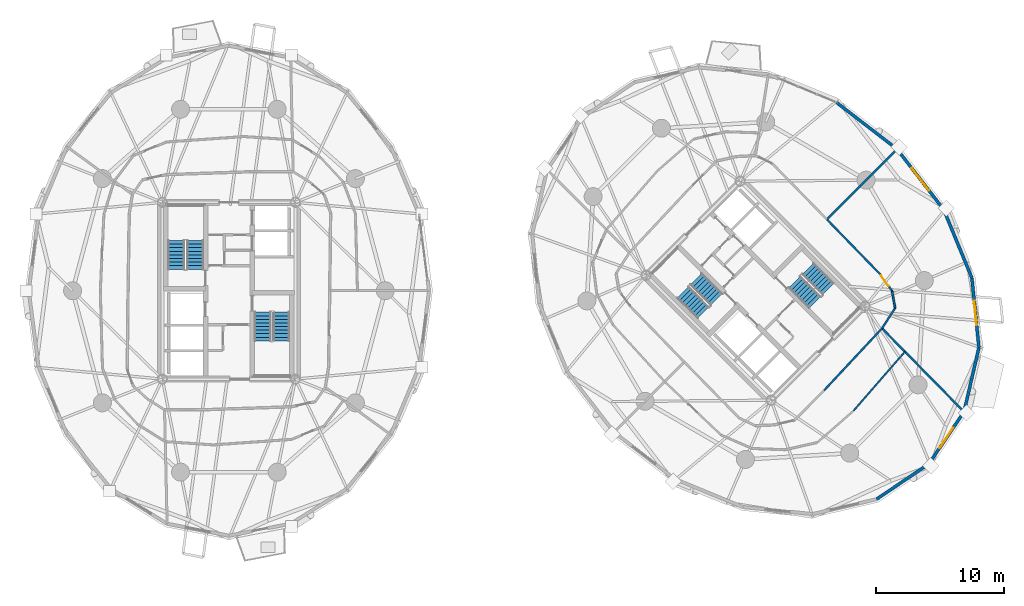
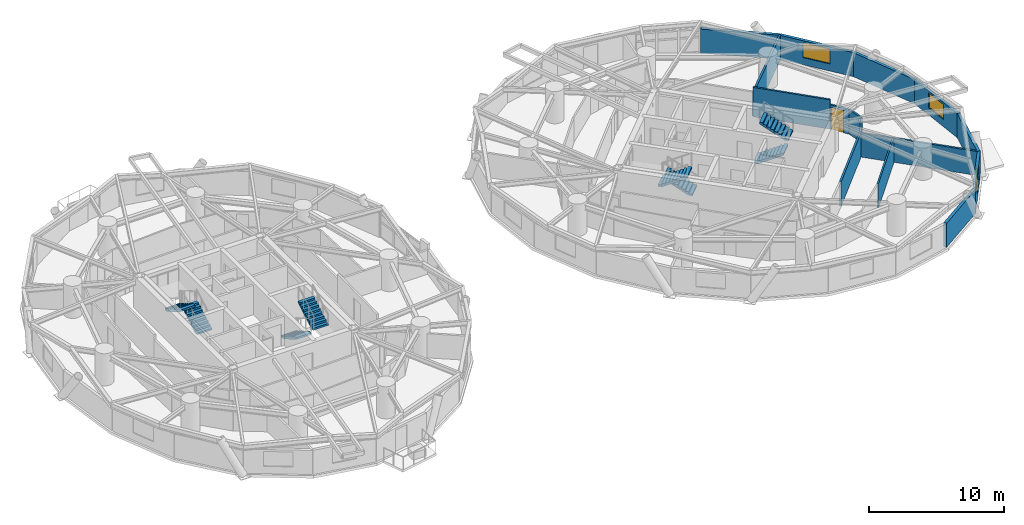
# One storey, part 15 of 18: 15 walls, 8 stair flights, 3 windows, 1 door, 4 openings, 4 elements without a shape of their own.
"""IFC4 building model written with IfcOpenShell, lengths in metres."""

from ifc_helpers import new_model, si_unit, direction, frame, frame_2d, origin, place, context, subcontext, project, spatial, polyline, rectangle, outline, extrude, source, transform, mapped, material, layer, layer_set, type_object, element, fill, aggregate, save


model = new_model("IFC4")

# Units and contexts
model_context = context("Model", 3, precision=1e-05, world=origin(), true_north=direction((0.0, 1.0)))
body_context = subcontext(model_context, "Body", "Model", "MODEL_VIEW")
ifc_project = project(units=[si_unit("LENGTHUNIT", "METRE"), si_unit("AREAUNIT", "SQUARE_METRE"), si_unit("VOLUMEUNIT", "CUBIC_METRE"), si_unit("PLANEANGLEUNIT", "RADIAN"), si_unit("MASSUNIT", "GRAM", prefix="KILO")], contexts=[model_context])

# Site, building, storey
site_placement = place(None, origin())
site = spatial("IfcSite", under=ifc_project, at=site_placement, CompositionType="ELEMENT")
building_placement = place(site_placement, origin())
building = spatial("IfcBuilding", under=site, at=building_placement, Name="Cununo Teusaquillo Station Towers", CompositionType="ELEMENT")
storey_placement = place(building_placement, frame((0.0, 0.0, 93.429931640625)))
storey = spatial("IfcBuildingStorey", under=building, at=storey_placement, Name="L29", CompositionType="ELEMENT", Elevation=93.429931640625)

# Walls
ifc_material_1 = material(Name="Precast concrete C40/50", Category="concrete")
ifc_layer_1 = layer(ifc_material_1, 0.239990234375)
ifc_layer_set_1 = layer_set([ifc_layer_1], Name="Precast concrete C40/50")
wall_type_1 = type_object("IfcWallType", Name="WL-EXT-240", PredefinedType="SOLIDWALL", material=ifc_layer_set_1)
wall_1_placement = place(storey_placement, frame((63.811279296875, 39.145263671875, 0.0), z_axis=(0.0, 0.0, 1.0), x_axis=(0.791982052206, -0.61054437102, 0.0)))
element("IfcWall", 1, at=wall_1_placement, inside=storey, type_object=wall_type_1, Name="L29 Tower B Exterior Facade Wall C00", PredefinedType="SOLIDWALL", context=body_context, shape_type="SweptSolid", body=[
    extrude(rectangle(XDim=5.942138671875, YDim=0.239990234375, at=frame_2d((2.97119140625, 0.0))), origin(), (0.0, 0.0, 1.0), 2.178955078125),
])
wall_2_placement = place(storey_placement, frame((70.984619140625, 11.015380859375, 0.0), z_axis=(0.0, 0.0, 1.0), x_axis=(-0.828781148131, -0.559572880421, 0.0)))
element("IfcWall", 2, at=wall_2_placement, inside=storey, type_object=wall_type_1, Name="L29 Tower B Exterior Facade Wall C14", PredefinedType="SOLIDWALL", context=body_context, shape_type="SweptSolid", body=[
    extrude(rectangle(XDim=4.904541015625, YDim=0.239990234375, at=frame_2d((2.4521484375, 0.0))), origin(), (0.0, 0.0, 1.0), 2.178955078125),
])

# Wall, opening, window
wall_3_placement = place(storey_placement, frame((73.72900390625, 15.080078125, 0.0), z_axis=(0.0, 0.0, 1.0), x_axis=(-0.559572880421, -0.828781148131, 0.0)))
wall_3 = element("IfcWall", 3, at=wall_3_placement, inside=storey, type_object=wall_type_1, Name="L29 Tower B Exterior Facade Wall C15", PredefinedType="SOLIDWALL", context=body_context, shape_type="SweptSolid", body=[
    extrude(rectangle(XDim=4.904541015625, YDim=0.239990234375, at=frame_2d((2.4521484375, 0.0))), origin(), (0.0, 0.0, 1.0), 2.178955078125),
])
shared_shape_1 = source(origin(), body_context, "Body", "SweptSolid", [
    extrude(rectangle(XDim=1.89990234375, YDim=1.35009765625, at=frame_2d((0.949951171875, 0.675048828125))), frame((0.0, 0.1298828125, 0.0), z_axis=(0.0, -1.0, 0.0), x_axis=(1.0, 0.0, 0.0)), (0.0, 0.0, 1.0), 0.260009765625),
])
opening_1_placement = place(wall_3_placement, frame((1.501953125, 0.0, 0.64990234375)))
opening_1 = element("IfcOpeningElement", 4, at=opening_1_placement, cuts=wall_3, Name="Opening WN-02", PredefinedType="OPENING", context=body_context, shape_type="MappedRepresentation", body=[
    mapped(shared_shape_1, transform((0.0, 0.0, 0.0), x_axis=(1.0, 0.0, 0.0), y_axis=(0.0, 1.0, 0.0), z_axis=(0.0, 0.0, 1.0), scale=1.0)),
])
ifc_material_2 = material(Name="Operable acoustic tinted low-E double glazing", Category="glass")
window_type_1 = type_object("IfcWindowType", Name="WIN-OPER-1900", PartitioningType="DOUBLE_PANEL_VERTICAL", PredefinedType="WINDOW", material=ifc_material_2)
shared_shape_2 = source(origin(), body_context, "Body", "SweptSolid", [
    extrude(rectangle(XDim=1.89990234375, YDim=1.35009765625, at=frame_2d((0.949951171875, 0.675048828125))), frame((0.0, 0.030029296875, 0.0), z_axis=(0.0, -1.0, 0.0), x_axis=(1.0, 0.0, 0.0)), (0.0, 0.0, 1.0), 0.06005859375),
])
window_1_placement = place(opening_1_placement, origin())
window_1 = element("IfcWindow", 5, at=window_1_placement, inside=storey, type_object=window_type_1, Name="L29 Tower B Facade Window C15", OverallHeight=1.35009765625, OverallWidth=1.89990234375, PartitioningType="DOUBLE_PANEL_VERTICAL", PredefinedType="WINDOW", context=body_context, shape_type="MappedRepresentation", body=[
    mapped(shared_shape_2, transform((0.0, 0.0, 0.0), x_axis=(1.0, 0.0, 0.0), y_axis=(0.0, 1.0, 0.0), z_axis=(0.0, 0.0, 1.0), scale=1.0)),
])
fill(opening_1, window_1)

# Wall
wall_4_placement = place(storey_placement, frame((74.885009765625, 20.066650390625, 0.0), z_axis=(0.0, 0.0, 1.0), x_axis=(-0.225834725257, -0.974165631126, 0.0)))
element("IfcWall", 6, at=wall_4_placement, inside=storey, type_object=wall_type_1, Name="L29 Tower B Exterior Facade Wall C16", PredefinedType="SOLIDWALL", context=body_context, shape_type="SweptSolid", body=[
    extrude(rectangle(XDim=5.118896484375, YDim=0.239990234375, at=frame_2d((2.5595703125, 0.0))), origin(), (0.0, 0.0, 1.0), 2.178955078125),
])

# Wall, opening, window
wall_5_placement = place(storey_placement, frame((74.33935546875, 25.4873046875, 0.0), z_axis=(0.0, 0.0, 1.0), x_axis=(0.10015591906, -0.994971754311, 0.0)))
wall_5 = element("IfcWall", 7, at=wall_5_placement, inside=storey, type_object=wall_type_1, Name="L29 Tower B Exterior Facade Wall C17", PredefinedType="SOLIDWALL", context=body_context, shape_type="SweptSolid", body=[
    extrude(rectangle(XDim=5.447998046875, YDim=0.239990234375, at=frame_2d((2.72412109375, 0.0))), origin(), (0.0, 0.0, 1.0), 2.178955078125),
])
opening_2_placement = place(wall_5_placement, frame((1.77392578125, 0.0, 0.64990234375)))
opening_2 = element("IfcOpeningElement", 8, at=opening_2_placement, cuts=wall_5, Name="Opening WN-02", PredefinedType="OPENING", context=body_context, shape_type="MappedRepresentation", body=[
    mapped(shared_shape_1, transform((0.0, 0.0, 0.0), x_axis=(1.0, 0.0, 0.0), y_axis=(0.0, 1.0, 0.0), z_axis=(0.0, 0.0, 1.0), scale=1.0)),
])
window_2_placement = place(opening_2_placement, origin())
window_2 = element("IfcWindow", 9, at=window_2_placement, inside=storey, type_object=window_type_1, Name="L29 Tower B Facade Window C17", OverallHeight=1.35009765625, OverallWidth=1.89990234375, PartitioningType="DOUBLE_PANEL_VERTICAL", PredefinedType="WINDOW", context=body_context, shape_type="MappedRepresentation", body=[
    mapped(shared_shape_2, transform((0.0, 0.0, 0.0), x_axis=(1.0, 0.0, 0.0), y_axis=(0.0, 1.0, 0.0), z_axis=(0.0, 0.0, 1.0), scale=1.0)),
])
fill(opening_2, window_2)

# Wall
wall_6_placement = place(storey_placement, frame((72.145263671875, 30.811279296875, 0.0), z_axis=(0.0, 0.0, 1.0), x_axis=(0.381027003055, -0.924563909604, 0.0)))
element("IfcWall", 10, at=wall_6_placement, inside=storey, type_object=wall_type_1, Name="L29 Tower B Exterior Facade Wall C18", PredefinedType="SOLIDWALL", context=body_context, shape_type="SweptSolid", body=[
    extrude(rectangle(XDim=5.75830078125, YDim=0.239990234375, at=frame_2d((2.879150390625, 0.0))), origin(), (0.0, 0.0, 1.0), 2.178955078125),
])

# Wall, opening, window
wall_7_placement = place(storey_placement, frame((68.517333984375, 35.517333984375, 0.0), z_axis=(0.0, 0.0, 1.0), x_axis=(0.61054437102, -0.791982052206, 0.0)))
wall_7 = element("IfcWall", 11, at=wall_7_placement, inside=storey, type_object=wall_type_1, Name="L29 Tower B Exterior Facade Wall C19", PredefinedType="SOLIDWALL", context=body_context, shape_type="SweptSolid", body=[
    extrude(rectangle(XDim=5.942138671875, YDim=0.239990234375, at=frame_2d((2.97119140625, 0.0))), origin(), (0.0, 0.0, 1.0), 2.178955078125),
])
shared_shape_3 = source(origin(), body_context, "Body", "SweptSolid", [
    extrude(rectangle(XDim=2.199951171875, YDim=1.35009765625, at=frame_2d((1.10009765625, 0.675048828125))), frame((0.0, 0.1298828125, 0.0), z_axis=(0.0, -1.0, 0.0), x_axis=(1.0, 0.0, 0.0)), (0.0, 0.0, 1.0), 0.260009765625),
])
opening_3_placement = place(wall_7_placement, frame((1.87109375, 0.0, 0.64990234375)))
opening_3 = element("IfcOpeningElement", 12, at=opening_3_placement, cuts=wall_7, Name="Opening WN-01", PredefinedType="OPENING", context=body_context, shape_type="MappedRepresentation", body=[
    mapped(shared_shape_3, transform((0.0, 0.0, 0.0), x_axis=(1.0, 0.0, 0.0), y_axis=(0.0, 1.0, 0.0), z_axis=(0.0, 0.0, 1.0), scale=1.0)),
])
ifc_material_3 = material(Name="Ceramic-fritted dark low-E double glazing", Category="glass")
window_type_2 = type_object("IfcWindowType", Name="WIN-FRIT-2200", PartitioningType="DOUBLE_PANEL_VERTICAL", PredefinedType="WINDOW", material=ifc_material_3)
shared_shape_4 = source(origin(), body_context, "Body", "SweptSolid", [
    extrude(rectangle(XDim=2.199951171875, YDim=1.35009765625, at=frame_2d((1.10009765625, 0.675048828125))), frame((0.0, 0.030029296875, 0.0), z_axis=(0.0, -1.0, 0.0), x_axis=(1.0, 0.0, 0.0)), (0.0, 0.0, 1.0), 0.06005859375),
])
window_3_placement = place(opening_3_placement, origin())
window_3 = element("IfcWindow", 13, at=window_3_placement, inside=storey, type_object=window_type_2, Name="L29 Tower B Facade Window C19", OverallHeight=1.35009765625, OverallWidth=2.199951171875, PartitioningType="DOUBLE_PANEL_VERTICAL", PredefinedType="WINDOW", context=body_context, shape_type="MappedRepresentation", body=[
    mapped(shared_shape_4, transform((0.0, 0.0, 0.0), x_axis=(1.0, 0.0, 0.0), y_axis=(0.0, 1.0, 0.0), z_axis=(0.0, 0.0, 1.0), scale=1.0)),
])
fill(opening_3, window_3)

# Walls
ifc_material_4 = material(Name="Fire-rated gypsum plasterboard partition assembly", Category="gypsum")
ifc_layer_2 = layer(ifc_material_4, 0.125)
ifc_layer_set_2 = layer_set([ifc_layer_2], Name="Fire-rated gypsum plasterboard partition assembly")
wall_type_2 = type_object("IfcWallType", Name="WL-PART-125", PredefinedType="PARTITIONING", material=ifc_layer_set_2)
wall_8_placement = place(storey_placement, frame((65.1162109375, 15.14453125, 0.0), z_axis=(0.0, 0.0, 1.0), x_axis=(0.656272685344, 0.75452379848, 0.0)))
element("IfcWall", 14, at=wall_8_placement, inside=storey, type_object=wall_type_2, Name="L29 Tower B Staff Espresso & Pantry Lounge Concentric Partition Wall C15", PredefinedType="PARTITIONING", context=body_context, shape_type="SweptSolid", body=[
    extrude(rectangle(XDim=6.1103515625, YDim=0.125, at=frame_2d((3.05517578125, 0.0))), origin(), (0.0, 0.0, 1.0), 2.22509765625),
])
ifc_material_5 = material(Name="Fire-rated gypsum plasterboard partition assembly", Category="gypsum")
ifc_layer_3 = layer(ifc_material_5, 0.14990234375)
ifc_layer_set_3 = layer_set([ifc_layer_3], Name="Fire-rated gypsum plasterboard partition assembly")
wall_type_3 = type_object("IfcWallType", Name="WL-PART-150", PredefinedType="PARTITIONING", material=ifc_layer_set_3)
wall_9_placement = place(storey_placement, frame((62.83935546875, 16.74462890625, 0.0), z_axis=(0.0, 0.0, 1.0), x_axis=(0.682386779427, 0.73099130177, 0.0)))
element("IfcWall", 15, at=wall_9_placement, inside=storey, type_object=wall_type_3, Name="L29 Tower B Corridor Ring Wall C15", PredefinedType="PARTITIONING", context=body_context, shape_type="SweptSolid", body=[
    extrude(rectangle(XDim=6.600341796875, YDim=0.14990234375, at=frame_2d((3.30029296875, 0.0))), origin(), (0.0, 0.0, 1.0), 2.22509765625),
])
wall_10_placement = place(storey_placement, frame((67.34326171875, 21.5693359375, 0.0), z_axis=(0.0, 0.0, 1.0), x_axis=(0.542722446786, 0.83991210597, 0.0)))
element("IfcWall", 16, at=wall_10_placement, inside=storey, type_object=wall_type_3, Name="L29 Tower B Corridor Ring Wall C16", PredefinedType="PARTITIONING", context=body_context, shape_type="SweptSolid", body=[
    extrude(rectangle(XDim=1.876220703125, YDim=0.14990234375, at=frame_2d((0.93798828125, 0.0))), origin(), (0.0, 0.0, 1.0), 2.22509765625),
])
wall_11_placement = place(storey_placement, frame((68.361572265625, 23.145263671875, 0.0), z_axis=(0.0, 0.0, 1.0), x_axis=(-0.175605524171, 0.984460613677, 0.0)))
element("IfcWall", 17, at=wall_11_placement, inside=storey, type_object=wall_type_3, Name="L29 Tower B Corridor Ring Wall C17", PredefinedType="PARTITIONING", context=body_context, shape_type="SweptSolid", body=[
    extrude(rectangle(XDim=1.369384765625, YDim=0.14990234375, at=frame_2d((0.6845703125, 0.0))), origin(), (0.0, 0.0, 1.0), 2.22509765625),
])

# Wall, opening, door
wall_12_placement = place(storey_placement, frame((68.12109375, 24.493408203125, 0.0), z_axis=(0.0, 0.0, 1.0), x_axis=(-0.583188677624, 0.812336732083, 0.0)))
wall_12 = element("IfcWall", 18, at=wall_12_placement, inside=storey, type_object=wall_type_3, Name="L29 Tower B Corridor Ring Wall C18", PredefinedType="PARTITIONING", context=body_context, shape_type="SweptSolid", body=[
    extrude(rectangle(XDim=1.59716796875, YDim=0.14990234375, at=frame_2d((0.798583984375, 0.0))), origin(), (0.0, 0.0, 1.0), 2.22509765625),
])
shared_shape_5 = source(origin(), body_context, "Body", "SweptSolid", [
    extrude(rectangle(XDim=1.0, YDim=2.014892578125, at=frame_2d((0.5, 1.00732421875))), frame((0.0, 0.0849609375, 0.0), z_axis=(0.0, -1.0, 0.0), x_axis=(1.0, 0.0, 0.0)), (0.0, 0.0, 1.0), 0.169921875),
])
opening_4_placement = place(wall_12_placement, frame((0.47705078125, 0.0, 0.0)))
opening_4 = element("IfcOpeningElement", 19, at=opening_4_placement, cuts=wall_12, Name="Opening D-AC1", PredefinedType="OPENING", context=body_context, shape_type="MappedRepresentation", body=[
    mapped(shared_shape_5, transform((0.0, 0.0, 0.0), x_axis=(1.0, 0.0, 0.0), y_axis=(0.0, 1.0, 0.0), z_axis=(0.0, 0.0, 1.0), scale=1.0)),
])
ifc_material_6 = material(Name="Acoustic solid-core hardwood leaf assembly", Category="wood")
door_type = type_object("IfcDoorType", Name="DR-ACC-1000", OperationType="NOTDEFINED", PredefinedType="DOOR", material=ifc_material_6)
shared_shape_6 = source(origin(), body_context, "Body", "SweptSolid", [
    extrude(rectangle(XDim=1.0, YDim=2.014892578125, at=frame_2d((0.5, 1.00732421875))), frame((0.0, 0.02490234375, 0.0), z_axis=(0.0, -1.0, 0.0), x_axis=(1.0, 0.0, 0.0)), (0.0, 0.0, 1.0), 0.050048828125),
])
door_placement = place(opening_4_placement, origin())
door = element("IfcDoor", 20, at=door_placement, inside=storey, type_object=door_type, Name="L29 Tower B Public Accessible Restroom WC Entrance Door", OperationType="SINGLE_SWING_RIGHT", OverallHeight=2.014892578125, OverallWidth=1.0, PredefinedType="DOOR", context=body_context, shape_type="MappedRepresentation", body=[
    mapped(shared_shape_6, transform((0.0, 0.0, 0.0), x_axis=(1.0, 0.0, 0.0), y_axis=(0.0, 1.0, 0.0), z_axis=(0.0, 0.0, 1.0), scale=1.0)),
])
fill(opening_4, door)

# Walls
wall_13_placement = place(storey_placement, frame((67.189697265625, 25.790771484375, 0.0), z_axis=(0.0, 0.0, 1.0), x_axis=(-0.696839457851, 0.717227139742, 0.0)))
element("IfcWall", 21, at=wall_13_placement, inside=storey, type_object=wall_type_3, Name="L29 Tower B Corridor Ring Wall C19", PredefinedType="PARTITIONING", context=body_context, shape_type="SweptSolid", body=[
    extrude(rectangle(XDim=5.939453125, YDim=0.14990234375, at=frame_2d((2.9697265625, 0.0))), origin(), (0.0, 0.0, 1.0), 2.655029296875),
])
ifc_material_7 = material(Name="Fire-rated gypsum plasterboard partition assembly", Category="gypsum")
ifc_layer_4 = layer(ifc_material_7, 0.159912109375)
ifc_layer_set_4 = layer_set([ifc_layer_4], Name="Fire-rated gypsum plasterboard partition assembly")
wall_type_4 = type_object("IfcWallType", Name="WL-PART-160", PredefinedType="PARTITIONING", material=ifc_layer_set_4)
wall_14_placement = place(storey_placement, frame((63.05078125, 30.05078125, 0.0), z_axis=(0.0, 0.0, 1.0), x_axis=(0.707106781187, 0.707106781187, 0.0)))
element("IfcWall", 22, at=wall_14_placement, inside=storey, type_object=wall_type_4, Name="L29 Tower B Radial Suite Partition R01", PredefinedType="PARTITIONING", context=body_context, shape_type="SweptSolid", body=[
    extrude(rectangle(XDim=7.711181640625, YDim=0.159912109375, at=frame_2d((3.85546875, 0.0))), origin(), (0.0, 0.0, 1.0), 2.178955078125),
])
wall_15_placement = place(storey_placement, frame((67.34326171875, 21.5693359375, 0.0), z_axis=(0.0, 0.0, 1.0), x_axis=(0.700899237588, -0.713260302238, 0.0)))
element("IfcWall", 23, at=wall_15_placement, inside=storey, type_object=wall_type_4, Name="L29 Tower B Radial Suite Partition R05", PredefinedType="PARTITIONING", context=body_context, shape_type="SweptSolid", body=[
    extrude(rectangle(XDim=9.08544921875, YDim=0.159912109375, at=frame_2d((4.542724609375, 0.0))), origin(), (0.0, 0.0, 1.0), 2.178955078125),
])

# Stair, stair flights
ifc_material_8 = material(Name="Concrete C50/60", Category="concrete")
stair_type = type_object("IfcStairType", Name="ST-TWR-1300", PredefinedType="HALF_TURN_STAIR", material=ifc_material_8)
stair_1_placement = place(storey_placement, origin())
stair_1 = element("IfcStair", 24, at=stair_1_placement, inside=storey, type_object=stair_type, Name="L29 Tower A Protected Core Exit Stair 1", PredefinedType="HALF_TURN_STAIR")
ifc_material_9 = material(Name="Concrete C50/60", Category="concrete")
stair_flight_type = type_object("IfcStairFlightType", Name="SFL-TWR-1300", PredefinedType="STRAIGHT", material=ifc_material_9)
stair_flight_1_placement = place(storey_placement, frame((13.8701171875, 26.169921875, 0.0), z_axis=(0.0, 0.0, 1.0), x_axis=(0.0, 1.0, 0.0)))
stair_flight_1 = element("IfcStairFlight", 25, at=stair_flight_1_placement, type_object=stair_flight_type, Name="ST-T1-1 flight 1", NumberOfRisers=9, NumberOfTreads=8, PredefinedType="STRAIGHT", RiserHeight=0.161666667, TreadLength=0.28, context=body_context, shape_type="SweptSolid", body=[
    extrude(outline(polyline([(0.0, 0.0), (0.0, 0.16162109375), (0.280029296875, 0.16162109375), (0.280029296875, 0.3232421875), (0.56005859375, 0.3232421875), (0.56005859375, 0.485107421875), (0.840087890625, 0.485107421875), (0.840087890625, 0.646728515625), (1.1201171875, 0.646728515625), (1.1201171875, 0.808349609375), (1.39990234375, 0.808349609375), (1.39990234375, 0.969970703125), (1.679931640625, 0.969970703125), (1.679931640625, 1.131591796875), (1.9599609375, 1.131591796875), (1.9599609375, 1.293212890625), (2.239990234375, 1.293212890625), (2.239990234375, 1.455078125), (2.239990234375, 1.1201171875), (0.2998046875, 0.0), (0.0, 0.0)])), frame((0.0, 0.64990234375, 0.0), z_axis=(0.0, -1.0, 0.0), x_axis=(1.0, 0.0, 0.0)), (0.0, 0.0, 1.0), 1.300048828125),
])
stair_flight_2_placement = place(storey_placement, frame((12.409912109375, 28.409912109375, 1.455078125), z_axis=(0.0, 0.0, 1.0), x_axis=(0.0, -1.0, 0.0)))
stair_flight_2 = element("IfcStairFlight", 26, at=stair_flight_2_placement, type_object=stair_flight_type, Name="ST-T1-1 flight 2", NumberOfRisers=9, NumberOfTreads=8, PredefinedType="STRAIGHT", RiserHeight=0.161666667, TreadLength=0.28, context=body_context, shape_type="SweptSolid", body=[
    extrude(outline(polyline([(0.0, 0.0), (0.0, 0.16162109375), (0.280029296875, 0.16162109375), (0.280029296875, 0.3232421875), (0.56005859375, 0.3232421875), (0.56005859375, 0.485107421875), (0.840087890625, 0.485107421875), (0.840087890625, 0.646728515625), (1.1201171875, 0.646728515625), (1.1201171875, 0.808349609375), (1.39990234375, 0.808349609375), (1.39990234375, 0.969970703125), (1.679931640625, 0.969970703125), (1.679931640625, 1.131591796875), (1.9599609375, 1.131591796875), (1.9599609375, 1.293212890625), (2.239990234375, 1.293212890625), (2.239990234375, 1.455078125), (2.239990234375, 1.1201171875), (0.2998046875, 0.0), (0.0, 0.0)])), frame((0.0, 0.64990234375, 0.0), z_axis=(0.0, -1.0, 0.0), x_axis=(1.0, 0.0, 0.0)), (0.0, 0.0, 1.0), 1.300048828125),
])
aggregate(stair_1, [stair_flight_1, stair_flight_2])

stair_2_placement = place(storey_placement, origin())
stair_2 = element("IfcStair", 27, at=stair_2_placement, inside=storey, type_object=stair_type, Name="L29 Tower A Protected Core Exit Stair 2", PredefinedType="HALF_TURN_STAIR")
stair_flight_3_placement = place(storey_placement, frame((19.1298828125, 22.830078125, 0.0), z_axis=(0.0, 0.0, 1.0), x_axis=(0.0, -1.0, 0.0)))
stair_flight_3 = element("IfcStairFlight", 28, at=stair_flight_3_placement, type_object=stair_flight_type, Name="ST-T1-2 flight 1", NumberOfRisers=9, NumberOfTreads=8, PredefinedType="STRAIGHT", RiserHeight=0.161666667, TreadLength=0.28, context=body_context, shape_type="SweptSolid", body=[
    extrude(outline(polyline([(0.0, 0.0), (0.0, 0.16162109375), (0.280029296875, 0.16162109375), (0.280029296875, 0.3232421875), (0.56005859375, 0.3232421875), (0.56005859375, 0.485107421875), (0.840087890625, 0.485107421875), (0.840087890625, 0.646728515625), (1.1201171875, 0.646728515625), (1.1201171875, 0.808349609375), (1.39990234375, 0.808349609375), (1.39990234375, 0.969970703125), (1.679931640625, 0.969970703125), (1.679931640625, 1.131591796875), (1.9599609375, 1.131591796875), (1.9599609375, 1.293212890625), (2.239990234375, 1.293212890625), (2.239990234375, 1.455078125), (2.239990234375, 1.1201171875), (0.2998046875, 0.0), (0.0, 0.0)])), frame((0.0, 0.64990234375, 0.0), z_axis=(0.0, -1.0, 0.0), x_axis=(1.0, 0.0, 0.0)), (0.0, 0.0, 1.0), 1.300048828125),
])
stair_flight_4_placement = place(storey_placement, frame((20.590087890625, 20.590087890625, 1.455078125), z_axis=(0.0, 0.0, 1.0), x_axis=(0.0, 1.0, 0.0)))
stair_flight_4 = element("IfcStairFlight", 29, at=stair_flight_4_placement, type_object=stair_flight_type, Name="ST-T1-2 flight 2", NumberOfRisers=9, NumberOfTreads=8, PredefinedType="STRAIGHT", RiserHeight=0.161666667, TreadLength=0.28, context=body_context, shape_type="SweptSolid", body=[
    extrude(outline(polyline([(0.0, 0.0), (0.0, 0.16162109375), (0.280029296875, 0.16162109375), (0.280029296875, 0.3232421875), (0.56005859375, 0.3232421875), (0.56005859375, 0.485107421875), (0.840087890625, 0.485107421875), (0.840087890625, 0.646728515625), (1.1201171875, 0.646728515625), (1.1201171875, 0.808349609375), (1.39990234375, 0.808349609375), (1.39990234375, 0.969970703125), (1.679931640625, 0.969970703125), (1.679931640625, 1.131591796875), (1.9599609375, 1.131591796875), (1.9599609375, 1.293212890625), (2.239990234375, 1.293212890625), (2.239990234375, 1.455078125), (2.239990234375, 1.1201171875), (0.2998046875, 0.0), (0.0, 0.0)])), frame((0.0, 0.64990234375, 0.0), z_axis=(0.0, -1.0, 0.0), x_axis=(1.0, 0.0, 0.0)), (0.0, 0.0, 1.0), 1.300048828125),
])
aggregate(stair_2, [stair_flight_3, stair_flight_4])

stair_3_placement = place(storey_placement, origin())
stair_3 = element("IfcStair", 30, at=stair_3_placement, inside=storey, type_object=stair_type, Name="L29 Tower B Protected Core Exit Stair 1", PredefinedType="HALF_TURN_STAIR")
stair_flight_5_placement = place(storey_placement, frame((54.45947265625, 23.8212890625, 0.0), z_axis=(0.0, 0.0, 1.0), x_axis=(-0.707106781187, 0.707106781187, 0.0)))
stair_flight_5 = element("IfcStairFlight", 31, at=stair_flight_5_placement, type_object=stair_flight_type, Name="ST-T2-1 flight 1", NumberOfRisers=9, NumberOfTreads=8, PredefinedType="STRAIGHT", RiserHeight=0.161666667, TreadLength=0.28, context=body_context, shape_type="SweptSolid", body=[
    extrude(outline(polyline([(0.0, 0.0), (0.0, 0.16162109375), (0.280029296875, 0.16162109375), (0.280029296875, 0.3232421875), (0.56005859375, 0.3232421875), (0.56005859375, 0.485107421875), (0.840087890625, 0.485107421875), (0.840087890625, 0.646728515625), (1.1201171875, 0.646728515625), (1.1201171875, 0.808349609375), (1.39990234375, 0.808349609375), (1.39990234375, 0.969970703125), (1.679931640625, 0.969970703125), (1.679931640625, 1.131591796875), (1.9599609375, 1.131591796875), (1.9599609375, 1.293212890625), (2.239990234375, 1.293212890625), (2.239990234375, 1.455078125), (2.239990234375, 1.1201171875), (0.2998046875, 0.0), (0.0, 0.0)])), frame((0.0, 0.64990234375, 0.0), z_axis=(0.0, -1.0, 0.0), x_axis=(1.0, 0.0, 0.0)), (0.0, 0.0, 1.0), 1.300048828125),
])
stair_flight_6_placement = place(storey_placement, frame((51.84326171875, 24.372802734375, 1.455078125), z_axis=(0.0, 0.0, 1.0), x_axis=(0.707106781187, -0.707106781187, 0.0)))
stair_flight_6 = element("IfcStairFlight", 32, at=stair_flight_6_placement, type_object=stair_flight_type, Name="ST-T2-1 flight 2", NumberOfRisers=9, NumberOfTreads=8, PredefinedType="STRAIGHT", RiserHeight=0.161666667, TreadLength=0.28, context=body_context, shape_type="SweptSolid", body=[
    extrude(outline(polyline([(0.0, 0.0), (0.0, 0.16162109375), (0.280029296875, 0.16162109375), (0.280029296875, 0.3232421875), (0.56005859375, 0.3232421875), (0.56005859375, 0.485107421875), (0.840087890625, 0.485107421875), (0.840087890625, 0.646728515625), (1.1201171875, 0.646728515625), (1.1201171875, 0.808349609375), (1.39990234375, 0.808349609375), (1.39990234375, 0.969970703125), (1.679931640625, 0.969970703125), (1.679931640625, 1.131591796875), (1.9599609375, 1.131591796875), (1.9599609375, 1.293212890625), (2.239990234375, 1.293212890625), (2.239990234375, 1.455078125), (2.239990234375, 1.1201171875), (0.2998046875, 0.0), (0.0, 0.0)])), frame((0.0, 0.64990234375, 0.0), z_axis=(0.0, -1.0, 0.0), x_axis=(1.0, 0.0, 0.0)), (0.0, 0.0, 1.0), 1.300048828125),
])
aggregate(stair_3, [stair_flight_5, stair_flight_6])

stair_4_placement = place(storey_placement, origin())
stair_4 = element("IfcStair", 33, at=stair_4_placement, inside=storey, type_object=stair_type, Name="L29 Tower B Protected Core Exit Stair 2", PredefinedType="HALF_TURN_STAIR")
stair_flight_7_placement = place(storey_placement, frame((60.54052734375, 25.1787109375, 0.0), z_axis=(0.0, 0.0, 1.0), x_axis=(0.707106781187, -0.707106781187, 0.0)))
stair_flight_7 = element("IfcStairFlight", 34, at=stair_flight_7_placement, type_object=stair_flight_type, Name="ST-T2-2 flight 1", NumberOfRisers=9, NumberOfTreads=8, PredefinedType="STRAIGHT", RiserHeight=0.161666667, TreadLength=0.28, context=body_context, shape_type="SweptSolid", body=[
    extrude(outline(polyline([(0.0, 0.0), (0.0, 0.16162109375), (0.280029296875, 0.16162109375), (0.280029296875, 0.3232421875), (0.56005859375, 0.3232421875), (0.56005859375, 0.485107421875), (0.840087890625, 0.485107421875), (0.840087890625, 0.646728515625), (1.1201171875, 0.646728515625), (1.1201171875, 0.808349609375), (1.39990234375, 0.808349609375), (1.39990234375, 0.969970703125), (1.679931640625, 0.969970703125), (1.679931640625, 1.131591796875), (1.9599609375, 1.131591796875), (1.9599609375, 1.293212890625), (2.239990234375, 1.293212890625), (2.239990234375, 1.455078125), (2.239990234375, 1.1201171875), (0.2998046875, 0.0), (0.0, 0.0)])), frame((0.0, 0.64990234375, 0.0), z_axis=(0.0, -1.0, 0.0), x_axis=(1.0, 0.0, 0.0)), (0.0, 0.0, 1.0), 1.300048828125),
])
stair_flight_8_placement = place(storey_placement, frame((63.15673828125, 24.627197265625, 1.455078125), z_axis=(0.0, 0.0, 1.0), x_axis=(-0.707106781187, 0.707106781187, 0.0)))
stair_flight_8 = element("IfcStairFlight", 35, at=stair_flight_8_placement, type_object=stair_flight_type, Name="ST-T2-2 flight 2", NumberOfRisers=9, NumberOfTreads=8, PredefinedType="STRAIGHT", RiserHeight=0.161666667, TreadLength=0.28, context=body_context, shape_type="SweptSolid", body=[
    extrude(outline(polyline([(0.0, 0.0), (0.0, 0.16162109375), (0.280029296875, 0.16162109375), (0.280029296875, 0.3232421875), (0.56005859375, 0.3232421875), (0.56005859375, 0.485107421875), (0.840087890625, 0.485107421875), (0.840087890625, 0.646728515625), (1.1201171875, 0.646728515625), (1.1201171875, 0.808349609375), (1.39990234375, 0.808349609375), (1.39990234375, 0.969970703125), (1.679931640625, 0.969970703125), (1.679931640625, 1.131591796875), (1.9599609375, 1.131591796875), (1.9599609375, 1.293212890625), (2.239990234375, 1.293212890625), (2.239990234375, 1.455078125), (2.239990234375, 1.1201171875), (0.2998046875, 0.0), (0.0, 0.0)])), frame((0.0, 0.64990234375, 0.0), z_axis=(0.0, -1.0, 0.0), x_axis=(1.0, 0.0, 0.0)), (0.0, 0.0, 1.0), 1.300048828125),
])
aggregate(stair_4, [stair_flight_7, stair_flight_8])

save(model, "model.ifc")
